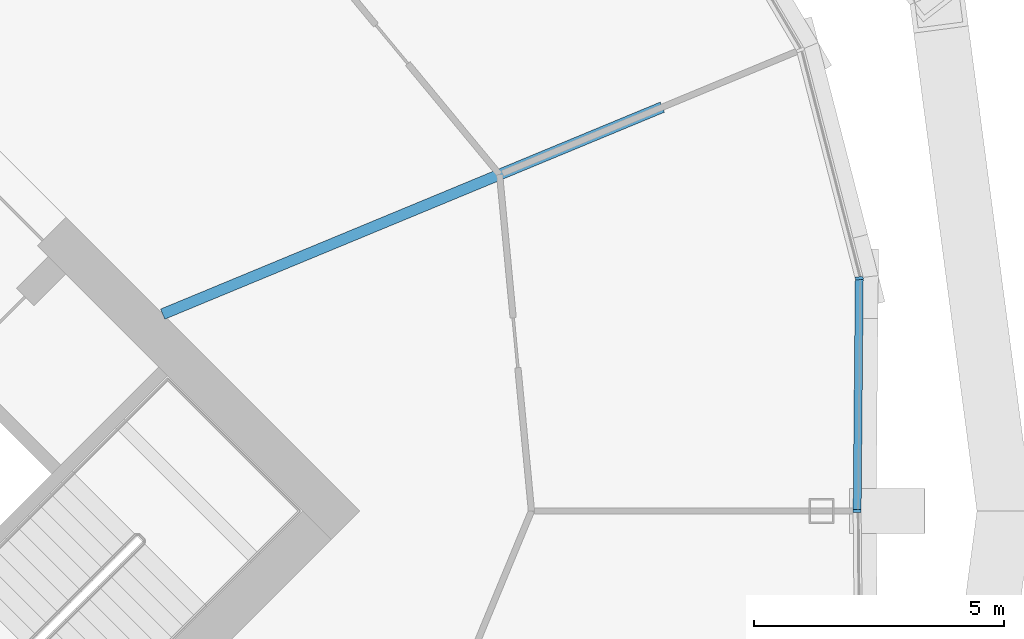
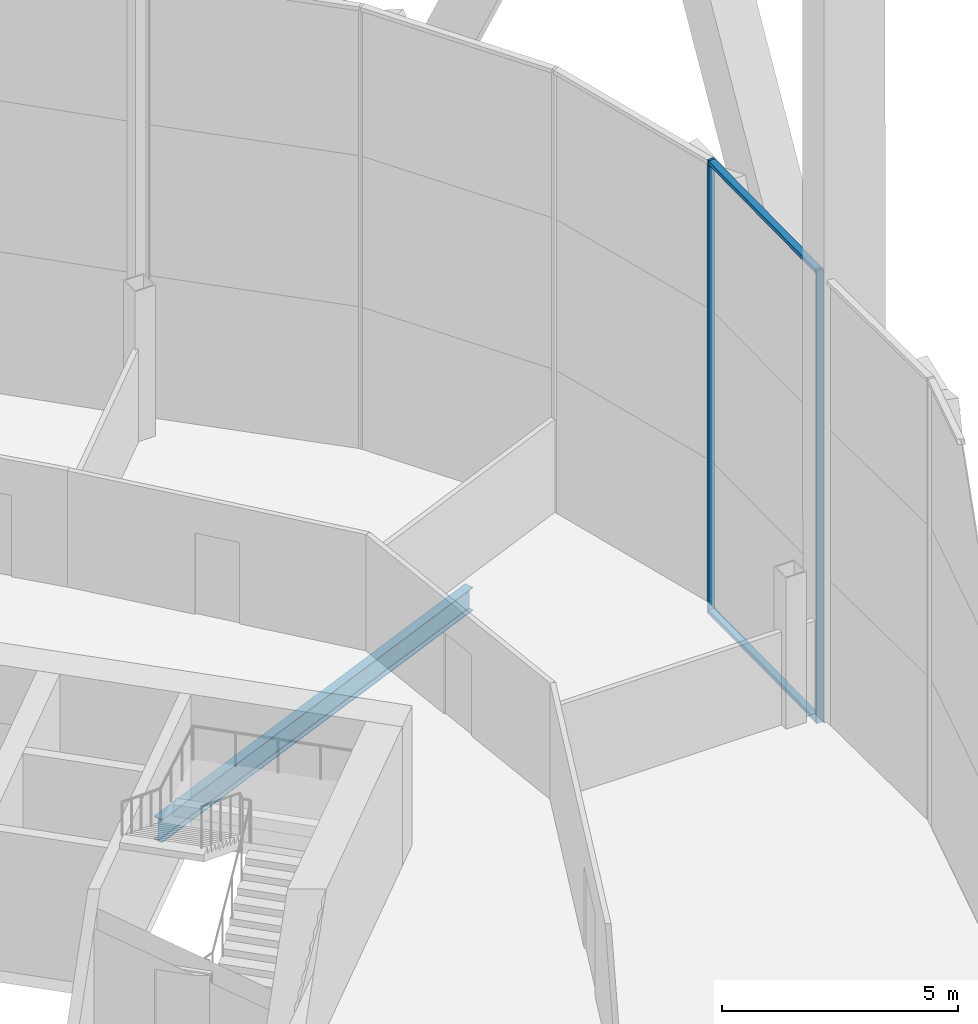
# One storey, part 12 of 26: 4 members, 1 beam, 1 element without a shape of its own.
"""IFC4 building model written with IfcOpenShell, lengths in metres."""

from ifc_helpers import new_model, si_unit, direction, frame, origin, origin_2d, place, context, subcontext, project, spatial, rectangle, i_section, extrude, material, material_profile, profile_set, type_object, element, aggregate, save


model = new_model("IFC4")

# Units and contexts
model_context = context("Model", 3, precision=1e-05, world=origin(), true_north=direction((0.0, 1.0)))
body_context = subcontext(model_context, "Body", "Model", "MODEL_VIEW")
ifc_project = project(units=[si_unit("LENGTHUNIT", "METRE"), si_unit("AREAUNIT", "SQUARE_METRE"), si_unit("VOLUMEUNIT", "CUBIC_METRE"), si_unit("PLANEANGLEUNIT", "RADIAN"), si_unit("MASSUNIT", "GRAM", prefix="KILO")], contexts=[model_context])

# Site, building, storey
site_placement = place(None, origin())
site = spatial("IfcSite", under=ifc_project, at=site_placement, CompositionType="ELEMENT")
building_placement = place(site_placement, origin())
building = spatial("IfcBuilding", under=site, at=building_placement, Name="Ogive Gate Towers", CompositionType="ELEMENT")
storey_placement = place(building_placement, frame((0.0, 0.0, 76.199951171875)))
storey = spatial("IfcBuildingStorey", under=building, at=storey_placement, Name="L17", CompositionType="ELEMENT", Elevation=76.199951171875)

# Beam
ifc_material_1 = material(Name="Steel SM355", Category="steel")
ifc_material_profile_1 = material_profile(ifc_material_1, i_section(OverallWidth=0.219970703125, OverallDepth=0.60009765625, WebThickness=0.011962890625, FlangeThickness=0.01904296875, FilletRadius=0.02392578125, at=origin_2d()), Name="IPE 600")
ifc_profile_set_1 = profile_set([ifc_material_profile_1], Name="Steel SM355")
beam_type = type_object("IfcBeamType", Name="Radial floor beam IPE 600", PredefinedType="BEAM", material=ifc_profile_set_1)
beam_placement = place(storey_placement, frame((45.5, 3.93505859375, -0.599853515625), z_axis=(0.923882772696, 0.382675609774, 0.0), x_axis=(-0.382675609774, 0.923882772696, 0.0)))
element("IfcBeam", 1, at=beam_placement, inside=storey, type_object=beam_type, Name="T2/L17/SBM004", PredefinedType="BEAM", context=body_context, shape_type="SweptSolid", body=[
    extrude(i_section(OverallWidth=0.219970703125, OverallDepth=0.60009765625, WebThickness=0.011962890625, FlangeThickness=0.01904296875, FilletRadius=0.02392578125, at=origin_2d()), origin(), (0.0, 0.0, 1.0), 10.809326171875),
])

# Curtain wall, members
ifc_material_2 = material(Name="Pale metal aluminium", Category="aluminium")
curtain_wall_type = type_object("IfcCurtainWallType", Name="Tower unitised wall, low zone", PredefinedType="NOTDEFINED", material=ifc_material_2)
curtain_wall_placement = place(storey_placement, origin())
curtain_wall = element("IfcCurtainWall", 2, at=curtain_wall_placement, inside=storey, type_object=curtain_wall_type, Name="CW1 T2 ECW01", PredefinedType="NOTDEFINED")
ifc_material_profile_2 = material_profile(ifc_material_2, rectangle(XDim=0.159912109375, YDim=0.06005859375, at=origin_2d()), Name="60 x 160 aluminium box")
ifc_profile_set_2 = profile_set([ifc_material_profile_2], Name="Pale metal aluminium")
member_type_1 = type_object("IfcMemberType", Name="Tower unitised wall, low zone mullion 60 x 160", PredefinedType="MULLION", material=ifc_profile_set_2)
member_1_placement = place(storey_placement, frame((59.3798828125, 0.000244140625, -0.300048828125), z_axis=(0.0, 0.0, 1.0), x_axis=(0.999957699753, -0.009197755467, 0.0)))
member_1 = element("IfcMember", 3, at=member_1_placement, type_object=member_type_1, Name="CW1 mullion", PredefinedType="MULLION", context=body_context, shape_type="SweptSolid", body=[
    extrude(rectangle(XDim=0.159912109375, YDim=0.06005859375, at=origin_2d()), origin(), (0.0, 0.0, 1.0), 11.7001953125),
])
member_2_placement = place(storey_placement, frame((59.4228515625, 4.653076171875, -0.300048828125), z_axis=(0.0, 0.0, 1.0), x_axis=(0.992635219858, 0.121141736398, 0.0)))
member_2 = element("IfcMember", 4, at=member_2_placement, type_object=member_type_1, Name="CW1 mullion", PredefinedType="MULLION", context=body_context, shape_type="SweptSolid", body=[
    extrude(rectangle(XDim=0.159912109375, YDim=0.06005859375, at=origin_2d()), origin(), (0.0, 0.0, 1.0), 11.7001953125),
])
ifc_material_profile_3 = material_profile(ifc_material_2, rectangle(XDim=0.159912109375, YDim=0.10009765625, at=origin_2d()), Name="100 x 160 aluminium box")
ifc_profile_set_3 = profile_set([ifc_material_profile_3], Name="Pale metal aluminium")
member_type_2 = type_object("IfcMemberType", Name="Tower unitised wall, low zone transom 100 x 160", PredefinedType="USERDEFINED", material=ifc_profile_set_3)
member_3_placement = place(storey_placement, frame((59.38037109375, 0.0302734375, 11.35009765625), z_axis=(0.009190983574, 0.999957762018, 0.0), x_axis=(-0.999957762018, 0.009190983574, 0.0)))
member_3 = element("IfcMember", 5, at=member_3_placement, type_object=member_type_2, Name="CW1 transom", ObjectType="TRANSOM", PredefinedType="USERDEFINED", context=body_context, shape_type="SweptSolid", body=[
    extrude(rectangle(XDim=0.159912109375, YDim=0.10009765625, at=origin_2d()), origin(), (0.0, 0.0, 1.0), 4.595458984375),
])
member_4_placement = place(storey_placement, frame((59.38037109375, 0.0302734375, -0.25), z_axis=(0.009190983574, 0.999957762018, 0.0), x_axis=(-0.999957762018, 0.009190983574, 0.0)))
member_4 = element("IfcMember", 6, at=member_4_placement, type_object=member_type_2, Name="CW1 transom", ObjectType="TRANSOM", PredefinedType="USERDEFINED", context=body_context, shape_type="SweptSolid", body=[
    extrude(rectangle(XDim=0.159912109375, YDim=0.10009765625, at=origin_2d()), origin(), (0.0, 0.0, 1.0), 4.595458984375),
])
aggregate(curtain_wall, [member_1, member_2, member_3, member_4])

save(model, "model.ifc")
